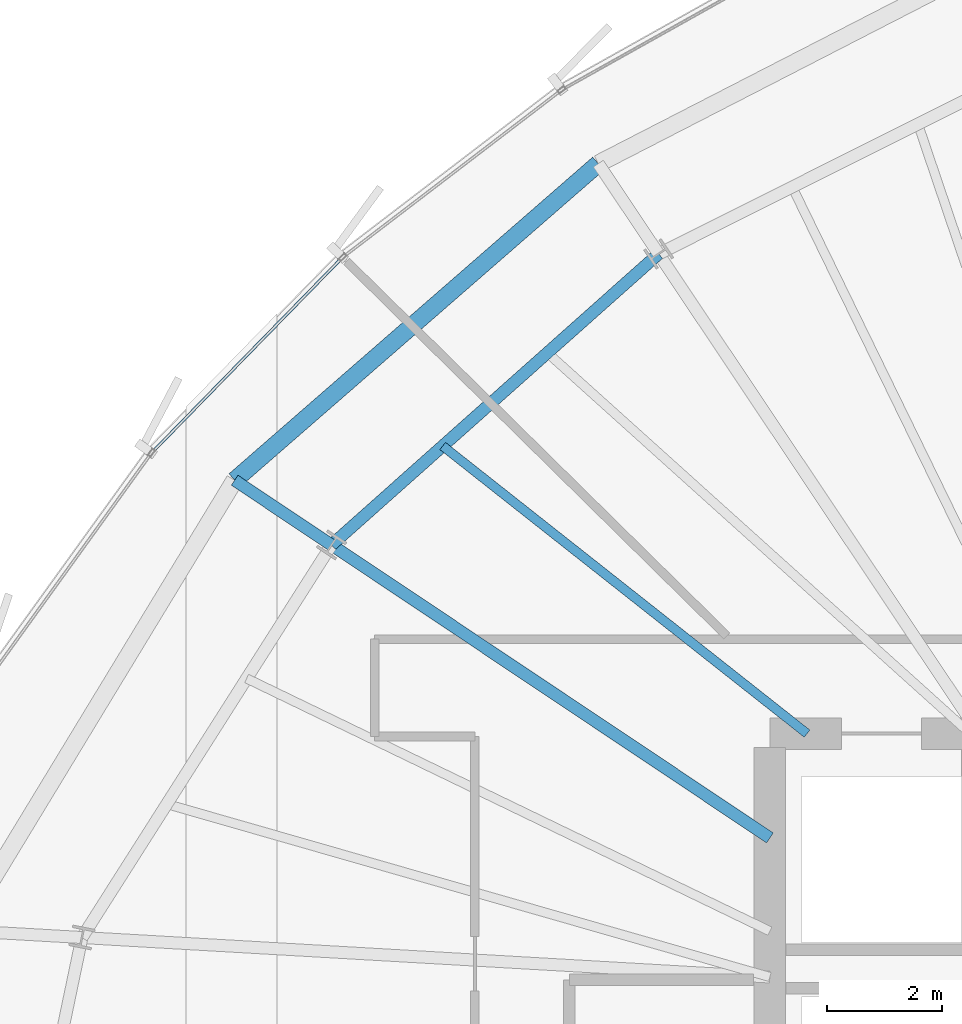
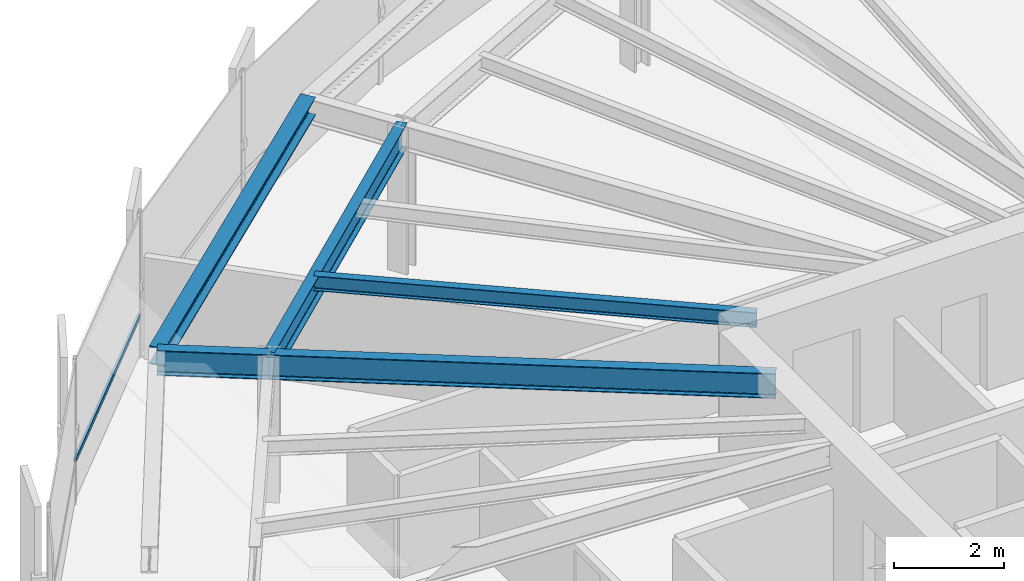
# One storey, part 19 of 35: 5 beams, 1 member, 1 element without a shape of its own.
"""IFC4 building model written with IfcOpenShell, lengths in metres."""

from ifc_helpers import new_model, si_unit, direction, frame, origin, origin_2d, place, context, subcontext, project, spatial, hollow_rectangle, i_section, extrude, source, transform, mapped, material, layer, layer_set, material_profile, profile_set, type_object, element, aggregate, save


model = new_model("IFC4")

# Units and contexts
model_context = context("Model", 3, precision=1e-05, world=origin(), true_north=direction((0.0, 1.0)))
body_context = subcontext(model_context, "Body", "Model", "MODEL_VIEW")
ifc_project = project(units=[si_unit("LENGTHUNIT", "METRE"), si_unit("AREAUNIT", "SQUARE_METRE"), si_unit("VOLUMEUNIT", "CUBIC_METRE"), si_unit("PLANEANGLEUNIT", "RADIAN"), si_unit("MASSUNIT", "GRAM", prefix="KILO"), si_unit("THERMODYNAMICTEMPERATUREUNIT", "KELVIN")], contexts=[model_context])

# Site, building, storey
site_placement = place(None, origin())
site = spatial("IfcSite", under=ifc_project, at=site_placement, CompositionType="ELEMENT")
building_placement = place(site_placement, origin())
building = spatial("IfcBuilding", under=site, at=building_placement, Name="Kethvar Cultural Tower", CompositionType="ELEMENT")
storey_placement = place(building_placement, frame((0.0, 0.0, 167.85009765625)))
storey = spatial("IfcBuildingStorey", under=building, at=storey_placement, Name="L43", CompositionType="ELEMENT", Elevation=167.85009765625)

# Beams
ifc_material_1 = material(Name="Steel S355J2", Category="steel")
ifc_material_profile_1 = material_profile(ifc_material_1, i_section(OverallWidth=0.2099609375, OverallDepth=0.550048828125, WebThickness=0.010986328125, FlangeThickness=0.01708984375, FilletRadius=0.02392578125, at=origin_2d()), Name="Steel S355J2 — IPE550")
ifc_profile_set_1 = profile_set([ifc_material_profile_1], Name="Steel S355J2 — IPE550")
beam_type_1 = type_object("IfcBeamType", Name="BM-IPE550", PredefinedType="BEAM", material=ifc_profile_set_1)
shared_shape_1 = source(origin(), body_context, "Body", "SweptSolid", [
    extrude(i_section(OverallWidth=0.2099609375, OverallDepth=0.550048828125, WebThickness=0.010986328125, FlangeThickness=0.01708984375, FilletRadius=0.02392578125, at=origin_2d()), origin(), (0.0, 0.0, 1.0), 9.205322265625),
])
beam_1_placement = place(storey_placement, frame((38.0, 33.679931640625, 2.962890625), z_axis=(-0.831470451236, 0.555568977465, 0.0), x_axis=(-0.555568977465, -0.831470451236, 0.0)))
element("IfcBeam", 1, at=beam_1_placement, inside=storey, type_object=beam_type_1, Name="L43 Primary Radial Beam RB-07", PredefinedType="BEAM", context=body_context, shape_type="MappedRepresentation", body=[
    mapped(shared_shape_1, transform((0.0, 0.0, 0.0), scale=1.0)),
])
shared_shape_2 = source(origin(), body_context, "Body", "SweptSolid", [
    extrude(i_section(OverallWidth=0.2099609375, OverallDepth=0.550048828125, WebThickness=0.010986328125, FlangeThickness=0.01708984375, FilletRadius=0.02392578125, at=origin_2d()), origin(), (0.0, 0.0, 1.0), 7.64599609375),
])
beam_2_placement = place(storey_placement, frame((36.0576171875, 43.877197265625, 2.962890625), z_axis=(-0.747021617367, -0.66479974668, 0.0), x_axis=(0.66479974668, -0.747021617367, 0.0)))
element("IfcBeam", 2, at=beam_2_placement, inside=storey, type_object=beam_type_1, Name="L43 Column Ring Tie Beam CR-06", PredefinedType="BEAM", context=body_context, shape_type="MappedRepresentation", body=[
    mapped(shared_shape_2, transform((0.0, 0.0, 0.0), scale=1.0)),
])
ifc_material_profile_2 = material_profile(ifc_material_1, i_section(OverallWidth=0.159912109375, OverallDepth=0.330078125, WebThickness=0.007568359375, FlangeThickness=0.011474609375, FilletRadius=0.01806640625, at=origin_2d()), Name="Steel S355J2 — IPE330")
ifc_profile_set_2 = profile_set([ifc_material_profile_2], Name="Steel S355J2 — IPE330")
beam_type_2 = type_object("IfcBeamType", Name="BM-J330", PredefinedType="JOIST", material=ifc_profile_set_2)
shared_shape_3 = source(origin(), body_context, "Body", "SweptSolid", [
    extrude(i_section(OverallWidth=0.159912109375, OverallDepth=0.330078125, WebThickness=0.007568359375, FlangeThickness=0.011474609375, FilletRadius=0.01806640625, at=origin_2d()), origin(), (0.0, 0.0, 1.0), 8.105712890625),
])
beam_3_placement = place(storey_placement, frame((38.64990234375, 35.5, 3.072998046875), z_axis=(-0.784895872164, 0.619627686486, 0.0), x_axis=(-0.619627686486, -0.784895872164, 0.0)))
element("IfcBeam", 3, at=beam_3_placement, inside=storey, type_object=beam_type_2, Name="L43 Composite Floor Joist J-06B", PredefinedType="JOIST", context=body_context, shape_type="MappedRepresentation", body=[
    mapped(shared_shape_3, transform((0.0, 0.0, 0.0), scale=1.0)),
])
shared_shape_4 = source(origin(), body_context, "Body", "SweptSolid", [
    extrude(i_section(OverallWidth=0.2099609375, OverallDepth=0.550048828125, WebThickness=0.010986328125, FlangeThickness=0.01708984375, FilletRadius=0.02392578125, at=origin_2d()), origin(), (0.0, 0.0, 1.0), 2.033935546875),
])
beam_4_placement = place(storey_placement, frame((30.345947265625, 38.794189453125, 2.962890625), z_axis=(-0.831440414597, 0.555613927988, 0.0), x_axis=(-0.555613927988, -0.831440414597, 0.0)))
element("IfcBeam", 4, at=beam_4_placement, inside=storey, type_object=beam_type_1, Name="L43 Perimeter Cantilever Beam RC-07", PredefinedType="BEAM", context=body_context, shape_type="MappedRepresentation", body=[
    mapped(shared_shape_4, transform((0.0, 0.0, 0.0), scale=1.0)),
])
ifc_material_profile_3 = material_profile(ifc_material_1, i_section(OverallWidth=0.300048828125, OverallDepth=0.39990234375, WebThickness=0.013427734375, FlangeThickness=0.02392578125, FilletRadius=0.027099609375, at=origin_2d()), Name="Steel S355J2 — HEB400")
ifc_profile_set_3 = profile_set([ifc_material_profile_3], Name="Steel S355J2 — HEB400")
beam_type_3 = type_object("IfcBeamType", Name="BM-SP400", PredefinedType="SPANDREL", material=ifc_profile_set_3)
shared_shape_5 = source(origin(), body_context, "Body", "SweptSolid", [
    extrude(i_section(OverallWidth=0.300048828125, OverallDepth=0.39990234375, WebThickness=0.013427734375, FlangeThickness=0.02392578125, FilletRadius=0.027099609375, at=origin_2d()), origin(), (0.0, 0.0, 1.0), 8.41943359375),
])
beam_5_placement = place(storey_placement, frame((35.0048828125, 45.452880859375, 3.037841796875), z_axis=(-0.754208979257, -0.656634461179, 0.0), x_axis=(0.656634461179, -0.754208979257, 0.0)))
element("IfcBeam", 5, at=beam_5_placement, inside=storey, type_object=beam_type_3, Name="L43 Perimeter Spandrel Beam SP-06", PredefinedType="SPANDREL", context=body_context, shape_type="MappedRepresentation", body=[
    mapped(shared_shape_5, transform((0.0, 0.0, 0.0), scale=1.0)),
])

# Curtain wall, member
ifc_material_2 = material(Name="Aluminium 6063-T6", Category="aluminium")
ifc_layer = layer(ifc_material_2, 0.179931640625, Name="Aluminium 6063-T6", Category="aluminium")
ifc_layer_set = layer_set([ifc_layer], Name="Aluminium 6063-T6 (180 mm)")
curtain_wall_type = type_object("IfcCurtainWallType", Name="CW-SYS-04-Z34", PredefinedType="NOTDEFINED", material=ifc_layer_set)
curtain_wall_placement = place(storey_placement, origin())
curtain_wall = element("IfcCurtainWall", 6, at=curtain_wall_placement, inside=storey, type_object=curtain_wall_type, Name="L43 Curtain Wall Run 02", PredefinedType="NOTDEFINED")
ifc_material_profile_4 = material_profile(ifc_material_2, hollow_rectangle(XDim=0.050048828125, YDim=0.10009765625, WallThickness=0.00390625, at=origin_2d()), Name="Aluminium 6063-T6 — RHS100x50x4")
ifc_profile_set_4 = profile_set([ifc_material_profile_4], Name="Aluminium 6063-T6 — RHS100x50x4")
member_type = type_object("IfcMemberType", Name="CW-SYS-04-Z34-TRN", PredefinedType="USERDEFINED", material=ifc_profile_set_4)
shared_shape_6 = source(origin(), body_context, "Body", "SweptSolid", [
    extrude(hollow_rectangle(XDim=0.050048828125, YDim=0.10009765625, WallThickness=0.00390625, at=origin_2d()), origin(), (0.0, 0.0, 1.0), 4.701416015625),
])
member_placement = place(storey_placement, frame((30.507568359375, 43.784912109375, 0.949951171875), z_axis=(-0.69856521425, -0.715546393633, 0.0), x_axis=(0.715546393633, -0.69856521425, 0.0)))
member = element("IfcMember", 7, at=member_placement, type_object=member_type, Name="CW-L43-R02 Transom 5", ObjectType="TRANSOM", PredefinedType="USERDEFINED", context=body_context, shape_type="MappedRepresentation", body=[
    mapped(shared_shape_6, transform((0.0, 0.0, 0.0), scale=1.0)),
])
aggregate(curtain_wall, [member])

save(model, "model.ifc")
